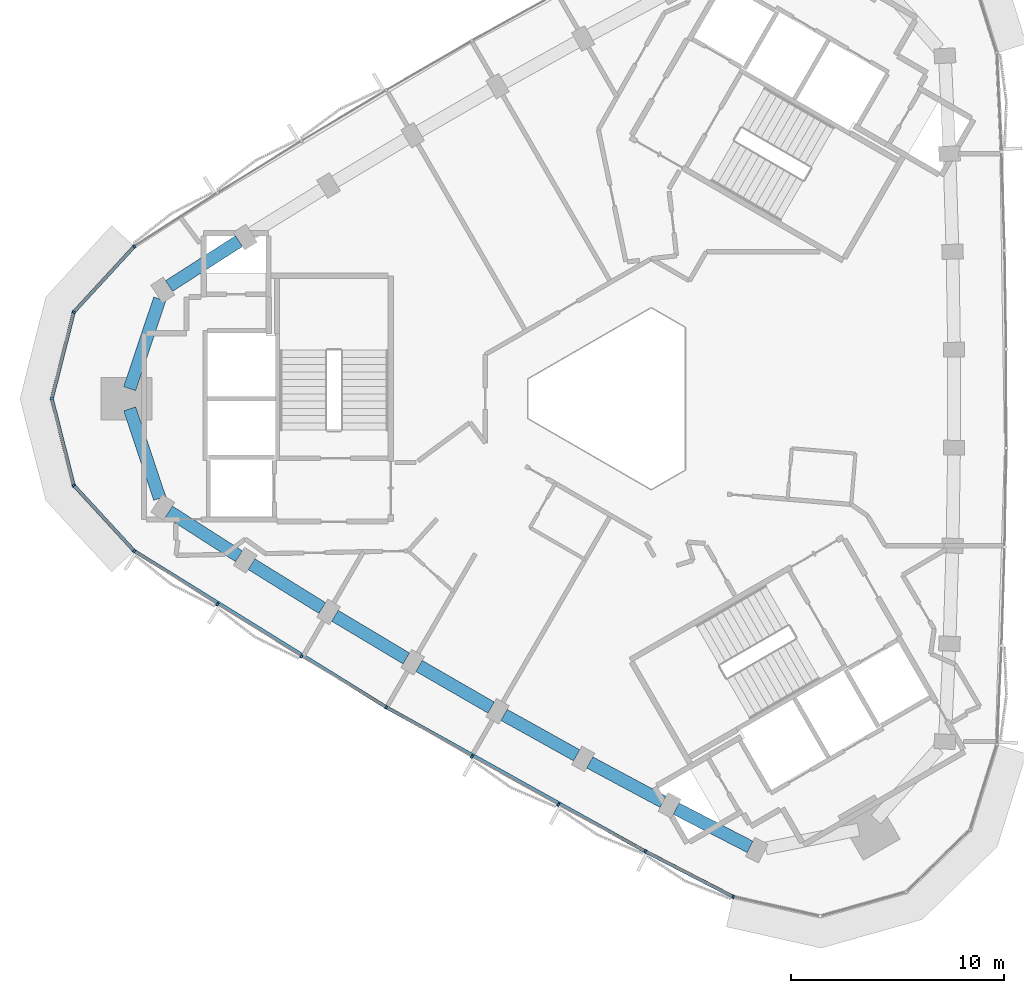
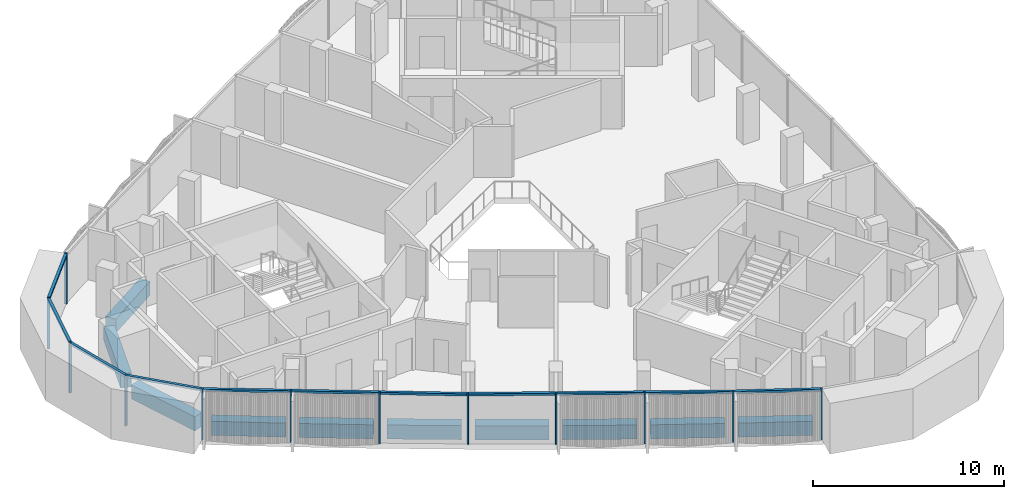
# One storey, part 2 of 12: 19 members, 10 beams, 2 elements without a shape of their own.
"""IFC4 building model written with IfcOpenShell, lengths in metres."""

from ifc_helpers import new_model, si_unit, direction, frame, origin, origin_2d, place, context, subcontext, project, spatial, rectangle, extrude, material, material_profile, profile_set, type_object, element, aggregate, save


model = new_model("IFC4")

# Units and contexts
model_context = context("Model", 3, precision=1e-05, world=origin(), true_north=direction((0.0, 1.0)))
body_context = subcontext(model_context, "Body", "Model", "MODEL_VIEW")
ifc_project = project(units=[si_unit("LENGTHUNIT", "METRE"), si_unit("AREAUNIT", "SQUARE_METRE"), si_unit("VOLUMEUNIT", "CUBIC_METRE"), si_unit("PLANEANGLEUNIT", "RADIAN"), si_unit("MASSUNIT", "GRAM", prefix="KILO")], contexts=[model_context])

# Site, building, storey
site_placement = place(None, origin())
site = spatial("IfcSite", under=ifc_project, at=site_placement, CompositionType="ELEMENT")
building_placement = place(site_placement, origin())
building = spatial("IfcBuilding", under=site, at=building_placement, Name="Tamra Quay Hotel Tower", CompositionType="ELEMENT")
storey_placement = place(building_placement, frame((0.0, 0.0, 280.199951171875)))
storey = spatial("IfcBuildingStorey", under=building, at=storey_placement, Name="L71", CompositionType="ELEMENT", Elevation=280.199951171875)

# Curtain wall, members
ifc_material_1 = material(Name="Aluminium 6063 anodised dark grey", Category="aluminium")
curtain_wall_type_1 = type_object("IfcCurtainWallType", Name="CW2 CURTAIN WALL", PredefinedType="NOTDEFINED", material=ifc_material_1)
curtain_wall_1_placement = place(storey_placement, origin())
curtain_wall_1 = element("IfcCurtainWall", 1, at=curtain_wall_1_placement, inside=storey, type_object=curtain_wall_type_1, Name="CW2 north-west face L71", PredefinedType="NOTDEFINED")
ifc_material_profile_1 = material_profile(ifc_material_1, rectangle(XDim=0.159912109375, YDim=0.10009765625, at=origin_2d()), Name="MULLION 100X160")
ifc_profile_set_1 = profile_set([ifc_material_profile_1], Name="Aluminium 6063 anodised dark grey")
member_type_1 = type_object("IfcMemberType", Name="MULLION CW2 Z6", PredefinedType="MULLION", material=ifc_profile_set_1)
member_1_placement = place(storey_placement, frame((-22.898681640625, 7.15869140625, 0.0), z_axis=(0.0, 0.0, 1.0), x_axis=(-0.6430864584, 0.765793579904, 0.0)))
member_1 = element("IfcMember", 2, at=member_1_placement, type_object=member_type_1, Name="CW2 mullion L71.NW.8", PredefinedType="MULLION", context=body_context, shape_type="SweptSolid", body=[
    extrude(rectangle(XDim=0.159912109375, YDim=0.10009765625, at=origin_2d()), origin(), (0.0, 0.0, 1.0), 3.25),
])
member_2_placement = place(storey_placement, frame((-25.742431640625, 4.070068359375, 0.0), z_axis=(0.0, 0.0, 1.0), x_axis=(-0.879433050093, 0.476022594427, 0.0)))
member_2 = element("IfcMember", 3, at=member_2_placement, type_object=member_type_1, Name="CW2 mullion L71.NW.9", PredefinedType="MULLION", context=body_context, shape_type="SweptSolid", body=[
    extrude(rectangle(XDim=0.159912109375, YDim=0.10009765625, at=origin_2d()), origin(), (0.0, 0.0, 1.0), 3.25),
])
member_3_placement = place(storey_placement, frame((-26.7734375, 0.0, 0.0), z_axis=(0.0, 0.0, 1.0), x_axis=(-1.0, 0.0, 0.0)))
member_3 = element("IfcMember", 4, at=member_3_placement, type_object=member_type_1, Name="CW2 mullion L71.NW.10", PredefinedType="MULLION", context=body_context, shape_type="SweptSolid", body=[
    extrude(rectangle(XDim=0.159912109375, YDim=0.10009765625, at=origin_2d()), origin(), (0.0, 0.0, 1.0), 3.25),
])
member_4_placement = place(storey_placement, frame((-25.742431640625, -4.070068359375, 0.0), z_axis=(0.0, 0.0, 1.0), x_axis=(-0.879433050093, -0.476022594427, 0.0)))
member_4 = element("IfcMember", 5, at=member_4_placement, type_object=member_type_1, Name="CW2 mullion L71.NW.11", PredefinedType="MULLION", context=body_context, shape_type="SweptSolid", body=[
    extrude(rectangle(XDim=0.159912109375, YDim=0.10009765625, at=origin_2d()), origin(), (0.0, 0.0, 1.0), 3.25),
])

curtain_wall_type_2 = type_object("IfcCurtainWallType", Name="CW3 CURTAIN WALL", PredefinedType="NOTDEFINED", material=ifc_material_1)
curtain_wall_2_placement = place(storey_placement, origin())
curtain_wall_2 = element("IfcCurtainWall", 6, at=curtain_wall_2_placement, inside=storey, type_object=curtain_wall_type_2, Name="CW3 south-west face L71", PredefinedType="NOTDEFINED")
ifc_material_profile_2 = material_profile(ifc_material_1, rectangle(XDim=0.159912109375, YDim=0.10009765625, at=origin_2d()), Name="MULLION 100X160")
ifc_profile_set_2 = profile_set([ifc_material_profile_2], Name="Aluminium 6063 anodised dark grey")
member_type_2 = type_object("IfcMemberType", Name="MULLION CW3 Z6", PredefinedType="MULLION", material=ifc_profile_set_2)
member_5_placement = place(storey_placement, frame((-22.898681640625, -7.15869140625, 0.0), z_axis=(0.0, 0.0, 1.0), x_axis=(-0.6430864584, -0.765793579904, 0.0)))
member_5 = element("IfcMember", 7, at=member_5_placement, type_object=member_type_2, Name="CW3 mullion L71.SW.1", PredefinedType="MULLION", context=body_context, shape_type="SweptSolid", body=[
    extrude(rectangle(XDim=0.159912109375, YDim=0.10009765625, at=origin_2d()), origin(), (0.0, 0.0, 1.0), 3.25),
])
member_6_placement = place(storey_placement, frame((-18.98779296875, -9.667724609375, 0.0), z_axis=(0.0, 0.0, 1.0), x_axis=(-0.533422257402, -0.845849097244, 0.0)))
member_6 = element("IfcMember", 8, at=member_6_placement, type_object=member_type_2, Name="CW3 mullion L71.SW.2", PredefinedType="MULLION", context=body_context, shape_type="SweptSolid", body=[
    extrude(rectangle(XDim=0.159912109375, YDim=0.10009765625, at=origin_2d()), origin(), (0.0, 0.0, 1.0), 3.25),
])
member_7_placement = place(storey_placement, frame((-15.040283203125, -12.1142578125, 0.0), z_axis=(0.0, 0.0, 1.0), x_axis=(-0.520160594546, -0.854068472596, 0.0)))
member_7 = element("IfcMember", 9, at=member_7_placement, type_object=member_type_2, Name="CW3 mullion L71.SW.3", PredefinedType="MULLION", context=body_context, shape_type="SweptSolid", body=[
    extrude(rectangle(XDim=0.159912109375, YDim=0.10009765625, at=origin_2d()), origin(), (0.0, 0.0, 1.0), 3.25),
])
member_8_placement = place(storey_placement, frame((-11.0537109375, -14.499755859375, 0.0), z_axis=(0.0, 0.0, 1.0), x_axis=(-0.506754183405, -0.862090597096, 0.0)))
member_8 = element("IfcMember", 10, at=member_8_placement, type_object=member_type_2, Name="CW3 mullion L71.SW.4", PredefinedType="MULLION", context=body_context, shape_type="SweptSolid", body=[
    extrude(rectangle(XDim=0.159912109375, YDim=0.10009765625, at=origin_2d()), origin(), (0.0, 0.0, 1.0), 3.25),
])
member_9_placement = place(storey_placement, frame((-7.0302734375, -16.82275390625, 0.0), z_axis=(0.0, 0.0, 1.0), x_axis=(-0.493215265746, -0.869907294851, 0.0)))
member_9 = element("IfcMember", 11, at=member_9_placement, type_object=member_type_2, Name="CW3 mullion L71.SW.5", PredefinedType="MULLION", context=body_context, shape_type="SweptSolid", body=[
    extrude(rectangle(XDim=0.159912109375, YDim=0.10009765625, at=origin_2d()), origin(), (0.0, 0.0, 1.0), 3.25),
])
member_10_placement = place(storey_placement, frame((-2.97119140625, -19.08251953125, 0.0), z_axis=(0.0, 0.0, 1.0), x_axis=(-0.479564696566, -0.877506525222, 0.0)))
member_10 = element("IfcMember", 12, at=member_10_placement, type_object=member_type_2, Name="CW3 mullion L71.SW.6", PredefinedType="MULLION", context=body_context, shape_type="SweptSolid", body=[
    extrude(rectangle(XDim=0.159912109375, YDim=0.10009765625, at=origin_2d()), origin(), (0.0, 0.0, 1.0), 3.25),
])
member_11_placement = place(storey_placement, frame((1.121337890625, -21.277587890625, 0.0), z_axis=(0.0, 0.0, 1.0), x_axis=(-0.46581567728, -0.884881774476, 0.0)))
member_11 = element("IfcMember", 13, at=member_11_placement, type_object=member_type_2, Name="CW3 mullion L71.SW.7", PredefinedType="MULLION", context=body_context, shape_type="SweptSolid", body=[
    extrude(rectangle(XDim=0.159912109375, YDim=0.10009765625, at=origin_2d()), origin(), (0.0, 0.0, 1.0), 3.25),
])
member_12_placement = place(storey_placement, frame((5.249755859375, -23.409912109375, 0.0), z_axis=(0.0, 0.0, 1.0), x_axis=(-0.341653465052, -0.939825999756, 0.0)))
member_12 = element("IfcMember", 14, at=member_12_placement, type_object=member_type_2, Name="CW3 mullion L71.SW.8", PredefinedType="MULLION", context=body_context, shape_type="SweptSolid", body=[
    extrude(rectangle(XDim=0.159912109375, YDim=0.10009765625, at=origin_2d()), origin(), (0.0, 0.0, 1.0), 3.25),
])

# Beams
ifc_material_2 = material(Name="Concrete M60", Category="concrete")
ifc_material_profile_3 = material_profile(ifc_material_2, rectangle(XDim=0.60009765625, YDim=0.89990234375, at=origin_2d()), Name="SPANDREL BEAM RC 600x900")
ifc_profile_set_3 = profile_set([ifc_material_profile_3], Name="Concrete M60")
beam_type = type_object("IfcBeamType", Name="SPANDREL BEAM RC 600x900", PredefinedType="SPANDREL", material=ifc_profile_set_3)
beam_1_placement = place(storey_placement, frame((-17.97607421875, 7.406005859375, -0.800048828125), z_axis=(-0.841679613882, -0.539977247276, 0.0), x_axis=(0.539977247276, -0.841679613882, 0.0)))
element("IfcBeam", 15, at=beam_1_placement, inside=storey, type_object=beam_type, Name="BM-SP6-015-L71", PredefinedType="SPANDREL", context=body_context, shape_type="SweptSolid", body=[
    extrude(rectangle(XDim=0.60009765625, YDim=0.89990234375, at=origin_2d()), origin(), (0.0, 0.0, 1.0), 3.906982421875),
])
for number, where, z_axis, x_axis, name in (
    (16, (-21.70068359375, 4.6845703125, -0.800048828125), (-0.318271531925, -0.947999594919, 0.0), (0.947999594919, -0.318271531925, 0.0), "BM-SP6-016-L71"),
    (17, (-23.114501953125, -0.473388671875, -0.800048828125), (0.318271531925, -0.947999594919, 0.0), (0.947999594919, 0.318271531925, 0.0), "BM-SP6-017-L71"),
):
    element("IfcBeam", number, at=place(storey_placement, frame(where, z_axis=z_axis, x_axis=x_axis)), inside=storey, type_object=beam_type, Name=name, PredefinedType="SPANDREL", context=body_context, shape_type="SweptSolid", body=[
        extrude(rectangle(XDim=0.60009765625, YDim=0.89990234375, at=origin_2d()), origin(), (0.0, 0.0, 1.0), 4.442138671875),
    ])
beam_2_placement = place(storey_placement, frame((-21.264404296875, -5.29638671875, -0.800048828125), z_axis=(0.841679613882, -0.539977247276, 0.0), x_axis=(0.539977247276, 0.841679613882, 0.0)))
element("IfcBeam", 18, at=beam_2_placement, inside=storey, type_object=beam_type, Name="BM-SP6-018-L71", PredefinedType="SPANDREL", context=body_context, shape_type="SweptSolid", body=[
    extrude(rectangle(XDim=0.60009765625, YDim=0.89990234375, at=origin_2d()), origin(), (0.0, 0.0, 1.0), 3.906982421875),
])
beam_3_placement = place(storey_placement, frame((-17.384033203125, -7.779296875, -0.800048828125), z_axis=(0.849972078006, -0.526827739029, 0.0), x_axis=(0.526827739029, 0.849972078006, 0.0)))
element("IfcBeam", 19, at=beam_3_placement, inside=storey, type_object=beam_type, Name="BM-SP6-019-L71", PredefinedType="SPANDREL", context=body_context, shape_type="SweptSolid", body=[
    extrude(rectangle(XDim=0.60009765625, YDim=0.89990234375, at=origin_2d()), origin(), (0.0, 0.0, 1.0), 3.907470703125),
])
beam_4_placement = place(storey_placement, frame((-13.465087890625, -10.201904296875, -0.800048828125), z_axis=(0.858120821909, -0.513447811376, 0.0), x_axis=(0.513447811376, 0.858120821909, 0.0)))
element("IfcBeam", 20, at=beam_4_placement, inside=storey, type_object=beam_type, Name="BM-SP6-020-L71", PredefinedType="SPANDREL", context=body_context, shape_type="SweptSolid", body=[
    extrude(rectangle(XDim=0.60009765625, YDim=0.89990234375, at=origin_2d()), origin(), (0.0, 0.0, 1.0), 3.9072265625),
])
for number, where, z_axis, x_axis, name in (
    (21, (-9.5087890625, -12.562744140625, -0.800048828125), (0.866011803689, -0.500023555316, 0.0), (0.500023555316, 0.866011803689, 0.0), "BM-SP6-021-L71"),
    (22, (-5.516357421875, -14.861572265625, -0.800048828125), (0.873726581477, -0.486417373066, 0.0), (0.486417373066, 0.873726581477, 0.0), "BM-SP6-022-L71"),
):
    element("IfcBeam", number, at=place(storey_placement, frame(where, z_axis=z_axis, x_axis=x_axis)), inside=storey, type_object=beam_type, Name=name, PredefinedType="SPANDREL", context=body_context, shape_type="SweptSolid", body=[
        extrude(rectangle(XDim=0.60009765625, YDim=0.89990234375, at=origin_2d()), origin(), (0.0, 0.0, 1.0), 3.906982421875),
    ])
beam_5_placement = place(storey_placement, frame((-1.488525390625, -17.09765625, -0.800048828125), z_axis=(0.88123835064, -0.472672158437, 0.0), x_axis=(0.472672158437, 0.88123835064, 0.0)))
element("IfcBeam", 23, at=beam_5_placement, inside=storey, type_object=beam_type, Name="BM-SP6-023-L71", PredefinedType="SPANDREL", context=body_context, shape_type="SweptSolid", body=[
    extrude(rectangle(XDim=0.60009765625, YDim=0.89990234375, at=origin_2d()), origin(), (0.0, 0.0, 1.0), 3.907470703125),
])
beam_6_placement = place(storey_placement, frame((2.57421875, -19.270751953125, -0.800048828125), z_axis=(0.888476019227, -0.458923047208, 0.0), x_axis=(0.458923047208, 0.888476019227, 0.0)))
element("IfcBeam", 24, at=beam_6_placement, inside=storey, type_object=beam_type, Name="BM-SP6-024-L71", PredefinedType="SPANDREL", context=body_context, shape_type="SweptSolid", body=[
    extrude(rectangle(XDim=0.60009765625, YDim=0.89990234375, at=origin_2d()), origin(), (0.0, 0.0, 1.0), 3.906982421875),
])

# Member
ifc_material_profile_4 = material_profile(ifc_material_1, rectangle(XDim=0.159912109375, YDim=0.139892578125, at=origin_2d()), Name="TRANSOM 160X140")
ifc_profile_set_4 = profile_set([ifc_material_profile_4], Name="Aluminium 6063 anodised dark grey")
member_type_3 = type_object("IfcMemberType", Name="TRANSOM CW2 Z6", PredefinedType="USERDEFINED", material=ifc_profile_set_4)
member_13_placement = place(storey_placement, frame((-22.932373046875, 7.121826171875, 3.179931640625), z_axis=(-0.67737906931, -0.735634145795, 0.0), x_axis=(0.735634145795, -0.67737906931, 0.0)))
member_13 = element("IfcMember", 25, at=member_13_placement, type_object=member_type_3, Name="CW2 transom L71.NW.8", ObjectType="TRANSOM", PredefinedType="USERDEFINED", context=body_context, shape_type="SweptSolid", body=[
    extrude(rectangle(XDim=0.159912109375, YDim=0.139892578125, at=origin_2d()), origin(), (0.0, 0.0, 1.0), 4.0986328125),
])

member_14_placement = place(storey_placement, frame((-25.7548828125, 4.021484375, 3.179931640625), z_axis=(-0.245492022127, -0.969398611033, 0.0), x_axis=(0.969398611033, -0.245492022127, 0.0)))
member_14 = element("IfcMember", 26, at=member_14_placement, type_object=member_type_3, Name="CW2 transom L71.NW.9", ObjectType="TRANSOM", PredefinedType="USERDEFINED", context=body_context, shape_type="SweptSolid", body=[
    extrude(rectangle(XDim=0.159912109375, YDim=0.139892578125, at=origin_2d()), origin(), (0.0, 0.0, 1.0), 4.098388671875),
])

member_15_placement = place(storey_placement, frame((-26.760986328125, -0.048583984375, 3.179931640625), z_axis=(0.245492022127, -0.969398611033, 0.0), x_axis=(0.969398611033, 0.245492022127, 0.0)))
member_15 = element("IfcMember", 27, at=member_15_placement, type_object=member_type_3, Name="CW2 transom L71.NW.10", ObjectType="TRANSOM", PredefinedType="USERDEFINED", context=body_context, shape_type="SweptSolid", body=[
    extrude(rectangle(XDim=0.159912109375, YDim=0.139892578125, at=origin_2d()), origin(), (0.0, 0.0, 1.0), 4.098388671875),
])

member_16_placement = place(storey_placement, frame((-25.708740234375, -4.106689453125, 3.179931640625), z_axis=(0.67737906931, -0.735634145795, 0.0), x_axis=(0.735634145795, 0.67737906931, 0.0)))
member_16 = element("IfcMember", 28, at=member_16_placement, type_object=member_type_3, Name="CW2 transom L71.NW.11", ObjectType="TRANSOM", PredefinedType="USERDEFINED", context=body_context, shape_type="SweptSolid", body=[
    extrude(rectangle(XDim=0.159912109375, YDim=0.139892578125, at=origin_2d()), origin(), (0.0, 0.0, 1.0), 4.0986328125),
])

aggregate(curtain_wall_1, [member_1, member_13, member_2, member_14, member_3, member_15, member_4, member_16])

ifc_material_profile_5 = material_profile(ifc_material_1, rectangle(XDim=0.159912109375, YDim=0.139892578125, at=origin_2d()), Name="TRANSOM 160X140")
ifc_profile_set_5 = profile_set([ifc_material_profile_5], Name="Aluminium 6063 anodised dark grey")
member_type_4 = type_object("IfcMemberType", Name="TRANSOM CW3 Z6", PredefinedType="USERDEFINED", material=ifc_profile_set_5)
member_17_placement = place(storey_placement, frame((-22.8564453125, -7.185546875, 3.179931640625), z_axis=(0.849982974427, -0.526810158581, 0.0), x_axis=(0.526810158581, 0.849982974427, 0.0)))
member_17 = element("IfcMember", 29, at=member_17_placement, type_object=member_type_4, Name="CW3 transom L71.SW.1", ObjectType="TRANSOM", PredefinedType="USERDEFINED", context=body_context, shape_type="SweptSolid", body=[
    extrude(rectangle(XDim=0.159912109375, YDim=0.139892578125, at=origin_2d()), origin(), (0.0, 0.0, 1.0), 13.835205078125),
])

member_18_placement = place(storey_placement, frame((-11.010498046875, -14.52490234375, 3.179931640625), z_axis=(0.873734917996, -0.486402398302, 0.0), x_axis=(0.486402398302, 0.873734917996, 0.0)))
member_18 = element("IfcMember", 30, at=member_18_placement, type_object=member_type_4, Name="CW3 transom L71.SW.4", ObjectType="TRANSOM", PredefinedType="USERDEFINED", context=body_context, shape_type="SweptSolid", body=[
    extrude(rectangle(XDim=0.159912109375, YDim=0.139892578125, at=origin_2d()), origin(), (0.0, 0.0, 1.0), 13.834716796875),
])

member_19_placement = place(storey_placement, frame((1.165771484375, -21.300537109375, 3.179931640625), z_axis=(0.888486484454, -0.458902785939, 0.0), x_axis=(0.458902785939, 0.888486484454, 0.0)))
member_19 = element("IfcMember", 31, at=member_19_placement, type_object=member_type_4, Name="CW3 transom L71.SW.7", ObjectType="TRANSOM", PredefinedType="USERDEFINED", context=body_context, shape_type="SweptSolid", body=[
    extrude(rectangle(XDim=0.159912109375, YDim=0.139892578125, at=origin_2d()), origin(), (0.0, 0.0, 1.0), 4.546630859375),
])

aggregate(curtain_wall_2, [member_5, member_17, member_6, member_7, member_8, member_18, member_9, member_10, member_11, member_19, member_12])

save(model, "model.ifc")
